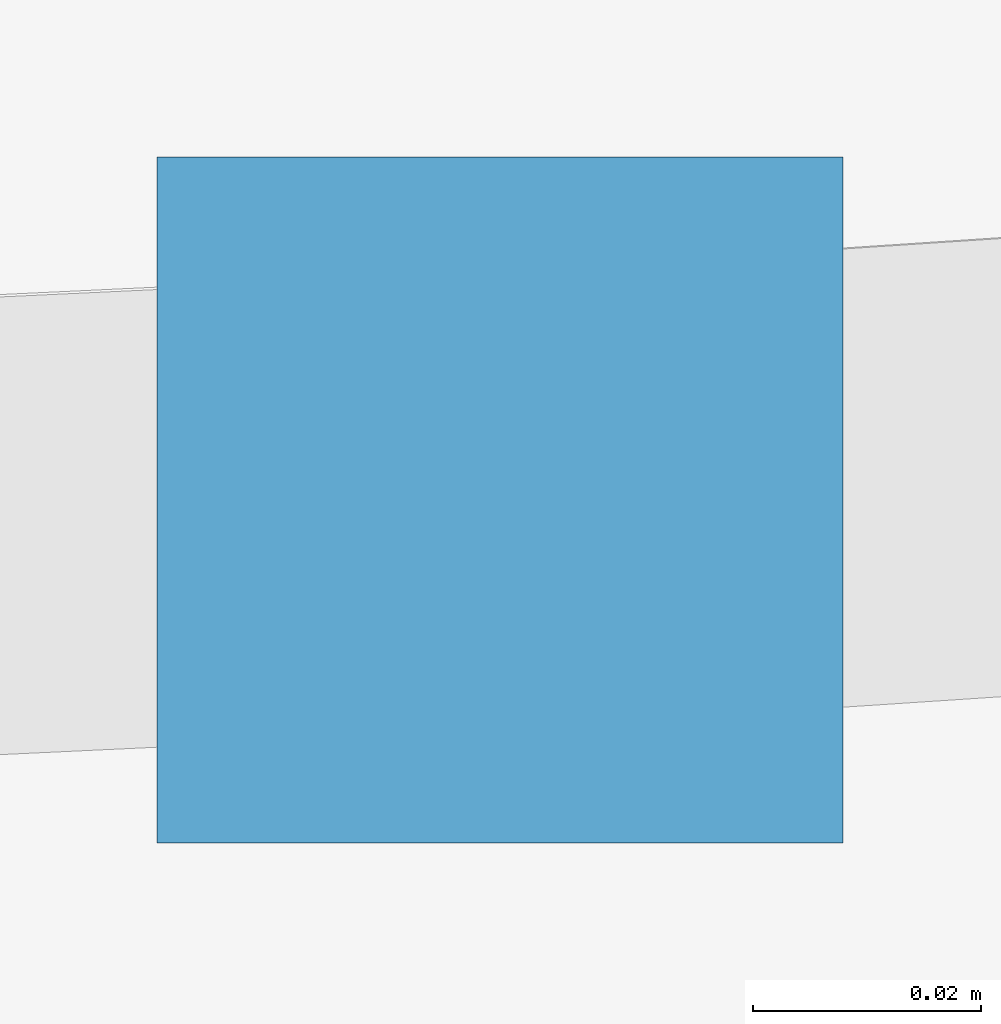
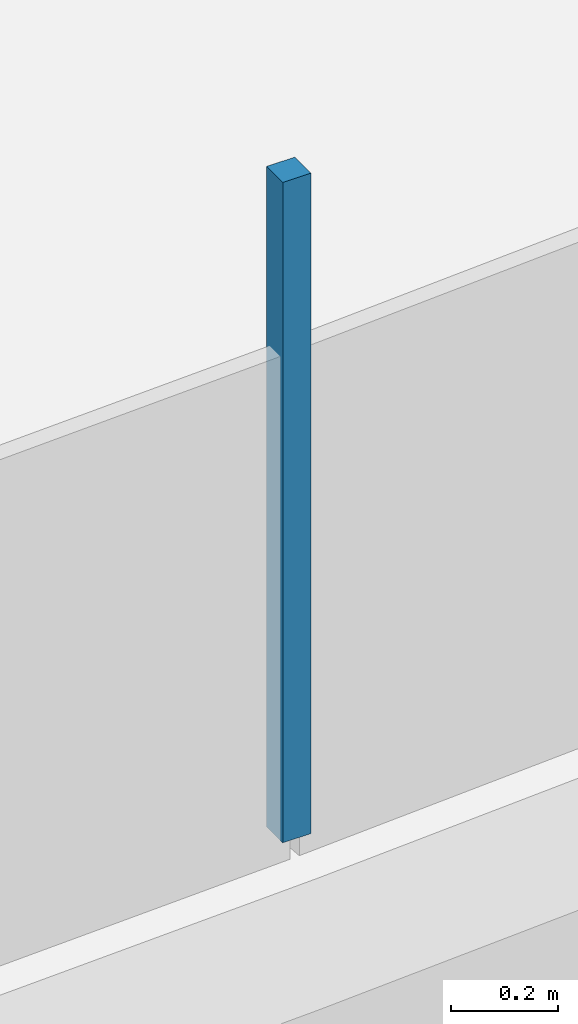
# One storey, part 5 of 9: 1 discrete accessory.
"""IFC4 building model written with IfcOpenShell, lengths in metres."""

from ifc_helpers import new_model, si_unit, direction, frame, origin, origin_2d, place, context, subcontext, project, spatial, rectangle, extrude, material, type_object, element, save


model = new_model("IFC4")

# Units and contexts
model_context = context("Model", 3, precision=1e-05, world=origin(), true_north=direction((0.0, 1.0)))
body_context = subcontext(model_context, "Body", "Model", "MODEL_VIEW")
ifc_project = project(units=[si_unit("LENGTHUNIT", "METRE"), si_unit("AREAUNIT", "SQUARE_METRE"), si_unit("VOLUMEUNIT", "CUBIC_METRE"), si_unit("PLANEANGLEUNIT", "RADIAN"), si_unit("MASSUNIT", "GRAM", prefix="KILO")], contexts=[model_context])

# Site, building, storey
site_placement = place(None, origin())
site = spatial("IfcSite", under=ifc_project, at=site_placement, CompositionType="ELEMENT")
building_placement = place(site_placement, origin())
building = spatial("IfcBuilding", under=site, at=building_placement, Name="Sierra Prisma Convention Tower", CompositionType="ELEMENT")
storey_placement = place(building_placement, frame((0.0, 0.0, 361.0)))
storey = spatial("IfcBuildingStorey", under=building, at=storey_placement, Name="Roof", CompositionType="ELEMENT", Elevation=361.0)

# Discrete accessory
ifc_material = material(Name="Copper")
discrete_accessory_type = type_object("IfcDiscreteAccessoryType", Name="Air terminal", PredefinedType="USERDEFINED", material=ifc_material)
discrete_accessory_placement = place(storey_placement, frame((5.748046875, -20.037109375, 0.35009765625), z_axis=(0.0, 0.0, 1.0), x_axis=(1.0, 0.0, 0.0)))
element("IfcDiscreteAccessory", 1, at=discrete_accessory_placement, inside=storey, type_object=discrete_accessory_type, Name="Air terminal 70", ObjectType="AIR TERMINAL", PredefinedType="USERDEFINED", context=body_context, shape_type="SweptSolid", body=[
    extrude(rectangle(XDim=0.06005859375, YDim=0.06005859375, at=origin_2d()), origin(), (0.0, 0.0, 1.0), 1.5),
])

save(model, "model.ifc")
